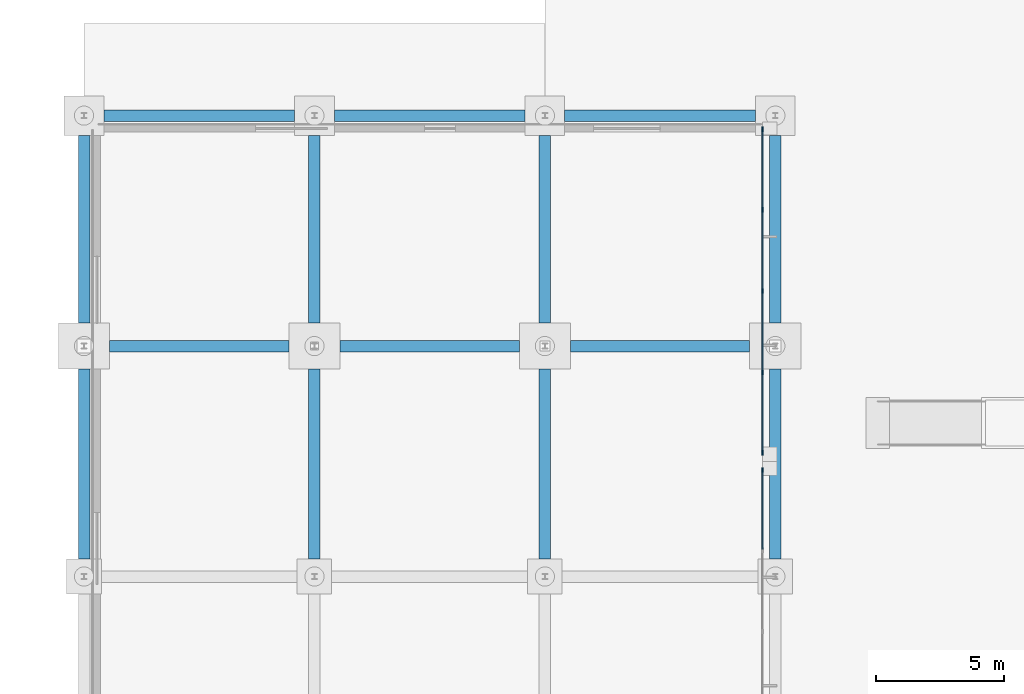
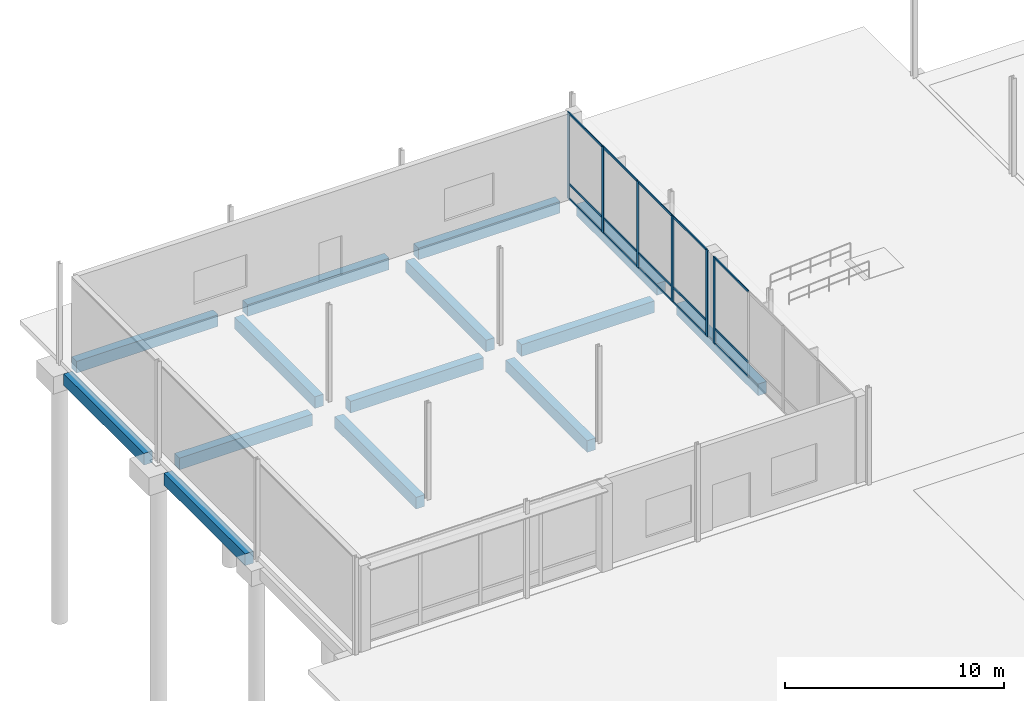
# One storey, part 51 of 180: 21 members, 14 beams, 2 elements without a shape of their own.
"""IFC4 building model written with IfcOpenShell, lengths in metres."""

from ifc_helpers import new_model, si_unit, direction, frame, origin, origin_2d, place, context, subcontext, project, spatial, rectangle, extrude, material, material_profile, profile_set, type_object, element, aggregate, save


model = new_model("IFC4")

# Units and contexts
model_context = context("Model", 3, precision=1e-05, world=origin(), true_north=direction((0.0, 1.0)))
body_context = subcontext(model_context, "Body", "Model", "MODEL_VIEW")
ifc_project = project(units=[si_unit("LENGTHUNIT", "METRE"), si_unit("AREAUNIT", "SQUARE_METRE"), si_unit("VOLUMEUNIT", "CUBIC_METRE"), si_unit("PLANEANGLEUNIT", "RADIAN"), si_unit("MASSUNIT", "GRAM", prefix="KILO"), si_unit("THERMODYNAMICTEMPERATUREUNIT", "KELVIN"), si_unit("POWERUNIT", "WATT")], contexts=[model_context])

# Site, building, storey
site_placement = place(None, origin())
site = spatial("IfcSite", under=ifc_project, at=site_placement, CompositionType="ELEMENT")
building_placement = place(site_placement, origin())
building = spatial("IfcBuilding", under=site, at=building_placement, Name="Tallowbark Science Centre", CompositionType="ELEMENT")
storey_placement = place(building_placement, origin())
storey = spatial("IfcBuildingStorey", under=building, at=storey_placement, Name="L00", CompositionType="ELEMENT", Elevation=0.0)

# Beams
ifc_material_1 = material(Name="Concrete Grade N40 (40 MPa)", Category="concrete")
ifc_material_profile_1 = material_profile(ifc_material_1, rectangle(XDim=0.449951171875, YDim=0.64990234375, at=origin_2d()), Name="RC450x650")
ifc_profile_set_1 = profile_set([ifc_material_profile_1], Name="Concrete Grade N40 (40 MPa)")
beam_type = type_object("IfcBeamType", Name="BM-GB2-N40", PredefinedType="BEAM", material=ifc_profile_set_1)
for number, where, z_axis, x_axis, name in (
    (1, (1.0, 99.0, -0.5849609375), (1.0, 0.0, 0.0), (0.0, 1.0, 0.0), "Ground Tie Beam GBT-X-279"),
    (2, (10.0, 99.0, -0.5849609375), (1.0, 0.0, 0.0), (0.0, 1.0, 0.0), "Ground Tie Beam GBT-X-280"),
    (3, (19.0, 99.0, -0.5849609375), (1.0, 0.0, 0.0), (0.0, 1.0, 0.0), "Ground Tie Beam GBT-X-281"),
):
    element("IfcBeam", number, at=place(storey_placement, frame(where, z_axis=z_axis, x_axis=x_axis)), inside=storey, type_object=beam_type, Name=name, PredefinedType="BEAM", context=body_context, shape_type="SweptSolid", body=[
        extrude(rectangle(XDim=0.449951171875, YDim=0.64990234375, at=origin_2d()), origin(), (0.0, 0.0, 1.0), 7.0),
    ])
for number, where, z_axis, x_axis, name in (
    (4, (0.77490234375, 108.0, -0.5849609375), (1.0, 0.0, 0.0), (0.0, 1.0, 0.0), "Ground Tie Beam GBT-X-283"),
    (5, (9.77490234375, 108.0, -0.5849609375), (1.0, 0.0, 0.0), (0.0, 1.0, 0.0), "Ground Tie Beam GBT-X-284"),
    (6, (18.77490234375, 108.0, -0.5849609375), (1.0, 0.0, 0.0), (0.0, 1.0, 0.0), "Ground Tie Beam GBT-X-285"),
):
    element("IfcBeam", number, at=place(storey_placement, frame(where, z_axis=z_axis, x_axis=x_axis)), inside=storey, type_object=beam_type, Name=name, PredefinedType="BEAM", context=body_context, shape_type="SweptSolid", body=[
        extrude(rectangle(XDim=0.449951171875, YDim=0.64990234375, at=origin_2d()), origin(), (0.0, 0.0, 1.0), 7.4501953125),
    ])
beam_1_placement = place(storey_placement, frame((0.0, 90.675048828125, -0.5849609375), z_axis=(0.0, 1.0, 0.0), x_axis=(-1.0, 0.0, 0.0)))
element("IfcBeam", 7, at=beam_1_placement, inside=storey, type_object=beam_type, Name="Ground Tie Beam GBT-Y-357", PredefinedType="BEAM", context=body_context, shape_type="SweptSolid", body=[
    extrude(rectangle(XDim=0.449951171875, YDim=0.64990234375, at=origin_2d()), origin(), (0.0, 0.0, 1.0), 7.425048828125),
])
beam_2_placement = place(storey_placement, frame((0.0, 99.89990234375, -0.5849609375), z_axis=(0.0, 1.0, 0.0), x_axis=(-1.0, 0.0, 0.0)))
element("IfcBeam", 8, at=beam_2_placement, inside=storey, type_object=beam_type, Name="Ground Tie Beam GBT-Y-358", PredefinedType="BEAM", context=body_context, shape_type="SweptSolid", body=[
    extrude(rectangle(XDim=0.449951171875, YDim=0.64990234375, at=origin_2d()), origin(), (0.0, 0.0, 1.0), 7.3251953125),
])
beam_3_placement = place(storey_placement, frame((9.0, 90.675048828125, -0.5849609375), z_axis=(0.0, 1.0, 0.0), x_axis=(-1.0, 0.0, 0.0)))
element("IfcBeam", 9, at=beam_3_placement, inside=storey, type_object=beam_type, Name="Ground Tie Beam GBT-Y-360", PredefinedType="BEAM", context=body_context, shape_type="SweptSolid", body=[
    extrude(rectangle(XDim=0.449951171875, YDim=0.64990234375, at=origin_2d()), origin(), (0.0, 0.0, 1.0), 7.425048828125),
])
beam_4_placement = place(storey_placement, frame((9.0, 99.89990234375, -0.5849609375), z_axis=(0.0, 1.0, 0.0), x_axis=(-1.0, 0.0, 0.0)))
element("IfcBeam", 10, at=beam_4_placement, inside=storey, type_object=beam_type, Name="Ground Tie Beam GBT-Y-361", PredefinedType="BEAM", context=body_context, shape_type="SweptSolid", body=[
    extrude(rectangle(XDim=0.449951171875, YDim=0.64990234375, at=origin_2d()), origin(), (0.0, 0.0, 1.0), 7.3251953125),
])
beam_5_placement = place(storey_placement, frame((18.0, 90.675048828125, -0.5849609375), z_axis=(0.0, 1.0, 0.0), x_axis=(-1.0, 0.0, 0.0)))
element("IfcBeam", 11, at=beam_5_placement, inside=storey, type_object=beam_type, Name="Ground Tie Beam GBT-Y-363", PredefinedType="BEAM", context=body_context, shape_type="SweptSolid", body=[
    extrude(rectangle(XDim=0.449951171875, YDim=0.64990234375, at=origin_2d()), origin(), (0.0, 0.0, 1.0), 7.425048828125),
])
beam_6_placement = place(storey_placement, frame((18.0, 99.89990234375, -0.5849609375), z_axis=(0.0, 1.0, 0.0), x_axis=(-1.0, 0.0, 0.0)))
element("IfcBeam", 12, at=beam_6_placement, inside=storey, type_object=beam_type, Name="Ground Tie Beam GBT-Y-364", PredefinedType="BEAM", context=body_context, shape_type="SweptSolid", body=[
    extrude(rectangle(XDim=0.449951171875, YDim=0.64990234375, at=origin_2d()), origin(), (0.0, 0.0, 1.0), 7.3251953125),
])
beam_7_placement = place(storey_placement, frame((27.0, 90.675048828125, -0.5849609375), z_axis=(0.0, 1.0, 0.0), x_axis=(-1.0, 0.0, 0.0)))
element("IfcBeam", 13, at=beam_7_placement, inside=storey, type_object=beam_type, Name="Ground Tie Beam GBT-Y-366", PredefinedType="BEAM", context=body_context, shape_type="SweptSolid", body=[
    extrude(rectangle(XDim=0.449951171875, YDim=0.64990234375, at=origin_2d()), origin(), (0.0, 0.0, 1.0), 7.425048828125),
])
beam_8_placement = place(storey_placement, frame((27.0, 99.89990234375, -0.5849609375), z_axis=(0.0, 1.0, 0.0), x_axis=(-1.0, 0.0, 0.0)))
element("IfcBeam", 14, at=beam_8_placement, inside=storey, type_object=beam_type, Name="Ground Tie Beam GBT-Y-367", PredefinedType="BEAM", context=body_context, shape_type="SweptSolid", body=[
    extrude(rectangle(XDim=0.449951171875, YDim=0.64990234375, at=origin_2d()), origin(), (0.0, 0.0, 1.0), 7.3251953125),
])

# Curtain wall, member
ifc_material_2 = material(Name="Unitised Thermally Broken Aluminium and Low-E Double Glazing", Category="aluminium")
curtain_wall_type = type_object("IfcCurtainWallType", Name="CW-SYS-FACADE", PredefinedType="NOTDEFINED", material=ifc_material_2)
curtain_wall_1_placement = place(storey_placement, origin())
curtain_wall_1 = element("IfcCurtainWall", 15, at=curtain_wall_1_placement, inside=storey, type_object=curtain_wall_type, Name="Unitised Curtain Wall PRK-E-1 CW-L00-201", PredefinedType="NOTDEFINED")
ifc_material_3 = material(Name="Anodised Architectural Aluminium Alloy 6063-T6", Category="aluminium")
ifc_material_profile_2 = material_profile(ifc_material_3, rectangle(XDim=0.06494140625, YDim=0.179931640625, at=origin_2d()), Name="ALU65x180")
ifc_profile_set_2 = profile_set([ifc_material_profile_2], Name="Anodised Architectural Aluminium Alloy 6063-T6")
member_type_1 = type_object("IfcMemberType", Name="CWM-MUL-220", PredefinedType="MULLION", material=ifc_profile_set_2)
member_1_placement = place(storey_placement, frame((26.5, 94.16748046875, 0.0), z_axis=(0.0, 0.0, 1.0), x_axis=(-1.0, 0.0, 0.0)))
member_1 = element("IfcMember", 16, at=member_1_placement, type_object=member_type_1, Name="CW-01 mullion 5", PredefinedType="MULLION", context=body_context, shape_type="SweptSolid", body=[
    extrude(rectangle(XDim=0.06494140625, YDim=0.179931640625, at=origin_2d()), origin(), (0.0, 0.0, 1.0), 4.800048828125),
])

# Curtain wall, members
curtain_wall_2_placement = place(storey_placement, origin())
curtain_wall_2 = element("IfcCurtainWall", 17, at=curtain_wall_2_placement, inside=storey, type_object=curtain_wall_type, Name="Unitised Curtain Wall PRK-E-2 CW-L00-202", PredefinedType="NOTDEFINED")
member_2_placement = place(storey_placement, frame((26.5, 94.83251953125, 0.0), z_axis=(0.0, 0.0, 1.0), x_axis=(-1.0, 0.0, 0.0)))
member_2 = element("IfcMember", 18, at=member_2_placement, type_object=member_type_1, Name="CW-01 mullion 1", PredefinedType="MULLION", context=body_context, shape_type="SweptSolid", body=[
    extrude(rectangle(XDim=0.06494140625, YDim=0.179931640625, at=origin_2d()), origin(), (0.0, 0.0, 1.0), 4.800048828125),
])
member_3_placement = place(storey_placement, frame((26.5, 97.97509765625, 0.0), z_axis=(0.0, 0.0, 1.0), x_axis=(-1.0, 0.0, 0.0)))
member_3 = element("IfcMember", 19, at=member_3_placement, type_object=member_type_1, Name="CW-01 mullion 2", PredefinedType="MULLION", context=body_context, shape_type="SweptSolid", body=[
    extrude(rectangle(XDim=0.06494140625, YDim=0.179931640625, at=origin_2d()), origin(), (0.0, 0.0, 1.0), 4.800048828125),
])
member_4_placement = place(storey_placement, frame((26.5, 101.14990234375, 0.0), z_axis=(0.0, 0.0, 1.0), x_axis=(-1.0, 0.0, 0.0)))
member_4 = element("IfcMember", 20, at=member_4_placement, type_object=member_type_1, Name="CW-01 mullion 3", PredefinedType="MULLION", context=body_context, shape_type="SweptSolid", body=[
    extrude(rectangle(XDim=0.06494140625, YDim=0.179931640625, at=origin_2d()), origin(), (0.0, 0.0, 1.0), 4.800048828125),
])
member_5_placement = place(storey_placement, frame((26.5, 104.324951171875, 0.0), z_axis=(0.0, 0.0, 1.0), x_axis=(-1.0, 0.0, 0.0)))
member_5 = element("IfcMember", 21, at=member_5_placement, type_object=member_type_1, Name="CW-01 mullion 4", PredefinedType="MULLION", context=body_context, shape_type="SweptSolid", body=[
    extrude(rectangle(XDim=0.06494140625, YDim=0.179931640625, at=origin_2d()), origin(), (0.0, 0.0, 1.0), 4.800048828125),
])
member_6_placement = place(storey_placement, frame((26.5, 107.467529296875, 0.0), z_axis=(0.0, 0.0, 1.0), x_axis=(-1.0, 0.0, 0.0)))
member_6 = element("IfcMember", 22, at=member_6_placement, type_object=member_type_1, Name="CW-01 mullion 5", PredefinedType="MULLION", context=body_context, shape_type="SweptSolid", body=[
    extrude(rectangle(XDim=0.06494140625, YDim=0.179931640625, at=origin_2d()), origin(), (0.0, 0.0, 1.0), 4.800048828125),
])

# Member
ifc_material_profile_3 = material_profile(ifc_material_3, rectangle(XDim=0.054931640625, YDim=0.1201171875, at=origin_2d()), Name="ALU55x120")
ifc_profile_set_3 = profile_set([ifc_material_profile_3], Name="Anodised Architectural Aluminium Alloy 6063-T6")
member_type_2 = type_object("IfcMemberType", Name="CWM-TRN-150", PredefinedType="USERDEFINED", material=ifc_profile_set_3)
member_7_placement = place(storey_placement, frame((26.5, 91.0576171875, 0.027587890625), z_axis=(0.0, 1.0, 0.0), x_axis=(-1.0, 0.0, 0.0)))
member_7 = element("IfcMember", 23, at=member_7_placement, type_object=member_type_2, Name="CW-01 transom 4.1", ObjectType="TRANSOM", PredefinedType="USERDEFINED", context=body_context, shape_type="SweptSolid", body=[
    extrude(rectangle(XDim=0.054931640625, YDim=0.1201171875, at=origin_2d()), origin(), (0.0, 0.0, 1.0), 3.077392578125),
])

member_8_placement = place(storey_placement, frame((26.5, 91.0576171875, 0.85009765625), z_axis=(0.0, 1.0, 0.0), x_axis=(-1.0, 0.0, 0.0)))
member_8 = element("IfcMember", 24, at=member_8_placement, type_object=member_type_2, Name="CW-01 transom 4.2", ObjectType="TRANSOM", PredefinedType="USERDEFINED", context=body_context, shape_type="SweptSolid", body=[
    extrude(rectangle(XDim=0.054931640625, YDim=0.1201171875, at=origin_2d()), origin(), (0.0, 0.0, 1.0), 3.077392578125),
])

member_9_placement = place(storey_placement, frame((26.5, 91.0576171875, 4.7724609375), z_axis=(0.0, 1.0, 0.0), x_axis=(-1.0, 0.0, 0.0)))
member_9 = element("IfcMember", 25, at=member_9_placement, type_object=member_type_2, Name="CW-01 transom 4.3", ObjectType="TRANSOM", PredefinedType="USERDEFINED", context=body_context, shape_type="SweptSolid", body=[
    extrude(rectangle(XDim=0.054931640625, YDim=0.1201171875, at=origin_2d()), origin(), (0.0, 0.0, 1.0), 3.077392578125),
])

aggregate(curtain_wall_1, [member_1, member_7, member_8, member_9])

member_10_placement = place(storey_placement, frame((26.5, 94.864990234375, 0.027587890625), z_axis=(0.0, 1.0, 0.0), x_axis=(-1.0, 0.0, 0.0)))
member_10 = element("IfcMember", 26, at=member_10_placement, type_object=member_type_2, Name="CW-01 transom 1.1", ObjectType="TRANSOM", PredefinedType="USERDEFINED", context=body_context, shape_type="SweptSolid", body=[
    extrude(rectangle(XDim=0.054931640625, YDim=0.1201171875, at=origin_2d()), origin(), (0.0, 0.0, 1.0), 3.077392578125),
])

member_11_placement = place(storey_placement, frame((26.5, 94.864990234375, 0.85009765625), z_axis=(0.0, 1.0, 0.0), x_axis=(-1.0, 0.0, 0.0)))
member_11 = element("IfcMember", 27, at=member_11_placement, type_object=member_type_2, Name="CW-01 transom 1.2", ObjectType="TRANSOM", PredefinedType="USERDEFINED", context=body_context, shape_type="SweptSolid", body=[
    extrude(rectangle(XDim=0.054931640625, YDim=0.1201171875, at=origin_2d()), origin(), (0.0, 0.0, 1.0), 3.077392578125),
])

member_12_placement = place(storey_placement, frame((26.5, 94.864990234375, 4.7724609375), z_axis=(0.0, 1.0, 0.0), x_axis=(-1.0, 0.0, 0.0)))
member_12 = element("IfcMember", 28, at=member_12_placement, type_object=member_type_2, Name="CW-01 transom 1.3", ObjectType="TRANSOM", PredefinedType="USERDEFINED", context=body_context, shape_type="SweptSolid", body=[
    extrude(rectangle(XDim=0.054931640625, YDim=0.1201171875, at=origin_2d()), origin(), (0.0, 0.0, 1.0), 3.077392578125),
])

member_13_placement = place(storey_placement, frame((26.5, 98.007568359375, 0.027587890625), z_axis=(0.0, 1.0, 0.0), x_axis=(-1.0, 0.0, 0.0)))
member_13 = element("IfcMember", 29, at=member_13_placement, type_object=member_type_2, Name="CW-01 transom 2.1", ObjectType="TRANSOM", PredefinedType="USERDEFINED", context=body_context, shape_type="SweptSolid", body=[
    extrude(rectangle(XDim=0.054931640625, YDim=0.1201171875, at=origin_2d()), origin(), (0.0, 0.0, 1.0), 3.10986328125),
])

member_14_placement = place(storey_placement, frame((26.5, 98.007568359375, 0.85009765625), z_axis=(0.0, 1.0, 0.0), x_axis=(-1.0, 0.0, 0.0)))
member_14 = element("IfcMember", 30, at=member_14_placement, type_object=member_type_2, Name="CW-01 transom 2.2", ObjectType="TRANSOM", PredefinedType="USERDEFINED", context=body_context, shape_type="SweptSolid", body=[
    extrude(rectangle(XDim=0.054931640625, YDim=0.1201171875, at=origin_2d()), origin(), (0.0, 0.0, 1.0), 3.10986328125),
])

member_15_placement = place(storey_placement, frame((26.5, 98.007568359375, 4.7724609375), z_axis=(0.0, 1.0, 0.0), x_axis=(-1.0, 0.0, 0.0)))
member_15 = element("IfcMember", 31, at=member_15_placement, type_object=member_type_2, Name="CW-01 transom 2.3", ObjectType="TRANSOM", PredefinedType="USERDEFINED", context=body_context, shape_type="SweptSolid", body=[
    extrude(rectangle(XDim=0.054931640625, YDim=0.1201171875, at=origin_2d()), origin(), (0.0, 0.0, 1.0), 3.10986328125),
])

member_16_placement = place(storey_placement, frame((26.5, 101.1826171875, 0.027587890625), z_axis=(0.0, 1.0, 0.0), x_axis=(-1.0, 0.0, 0.0)))
member_16 = element("IfcMember", 32, at=member_16_placement, type_object=member_type_2, Name="CW-01 transom 3.1", ObjectType="TRANSOM", PredefinedType="USERDEFINED", context=body_context, shape_type="SweptSolid", body=[
    extrude(rectangle(XDim=0.054931640625, YDim=0.1201171875, at=origin_2d()), origin(), (0.0, 0.0, 1.0), 3.10986328125),
])

member_17_placement = place(storey_placement, frame((26.5, 101.1826171875, 0.85009765625), z_axis=(0.0, 1.0, 0.0), x_axis=(-1.0, 0.0, 0.0)))
member_17 = element("IfcMember", 33, at=member_17_placement, type_object=member_type_2, Name="CW-01 transom 3.2", ObjectType="TRANSOM", PredefinedType="USERDEFINED", context=body_context, shape_type="SweptSolid", body=[
    extrude(rectangle(XDim=0.054931640625, YDim=0.1201171875, at=origin_2d()), origin(), (0.0, 0.0, 1.0), 3.10986328125),
])

member_18_placement = place(storey_placement, frame((26.5, 101.1826171875, 4.7724609375), z_axis=(0.0, 1.0, 0.0), x_axis=(-1.0, 0.0, 0.0)))
member_18 = element("IfcMember", 34, at=member_18_placement, type_object=member_type_2, Name="CW-01 transom 3.3", ObjectType="TRANSOM", PredefinedType="USERDEFINED", context=body_context, shape_type="SweptSolid", body=[
    extrude(rectangle(XDim=0.054931640625, YDim=0.1201171875, at=origin_2d()), origin(), (0.0, 0.0, 1.0), 3.10986328125),
])

member_19_placement = place(storey_placement, frame((26.5, 104.357421875, 0.027587890625), z_axis=(0.0, 1.0, 0.0), x_axis=(-1.0, 0.0, 0.0)))
member_19 = element("IfcMember", 35, at=member_19_placement, type_object=member_type_2, Name="CW-01 transom 4.1", ObjectType="TRANSOM", PredefinedType="USERDEFINED", context=body_context, shape_type="SweptSolid", body=[
    extrude(rectangle(XDim=0.054931640625, YDim=0.1201171875, at=origin_2d()), origin(), (0.0, 0.0, 1.0), 3.07763671875),
])

member_20_placement = place(storey_placement, frame((26.5, 104.357421875, 0.85009765625), z_axis=(0.0, 1.0, 0.0), x_axis=(-1.0, 0.0, 0.0)))
member_20 = element("IfcMember", 36, at=member_20_placement, type_object=member_type_2, Name="CW-01 transom 4.2", ObjectType="TRANSOM", PredefinedType="USERDEFINED", context=body_context, shape_type="SweptSolid", body=[
    extrude(rectangle(XDim=0.054931640625, YDim=0.1201171875, at=origin_2d()), origin(), (0.0, 0.0, 1.0), 3.07763671875),
])

member_21_placement = place(storey_placement, frame((26.5, 104.357421875, 4.7724609375), z_axis=(0.0, 1.0, 0.0), x_axis=(-1.0, 0.0, 0.0)))
member_21 = element("IfcMember", 37, at=member_21_placement, type_object=member_type_2, Name="CW-01 transom 4.3", ObjectType="TRANSOM", PredefinedType="USERDEFINED", context=body_context, shape_type="SweptSolid", body=[
    extrude(rectangle(XDim=0.054931640625, YDim=0.1201171875, at=origin_2d()), origin(), (0.0, 0.0, 1.0), 3.07763671875),
])

aggregate(curtain_wall_2, [member_2, member_3, member_4, member_5, member_6, member_10, member_11, member_12, member_13, member_14, member_15, member_16, member_17, member_18, member_19, member_20, member_21])

save(model, "model.ifc")
